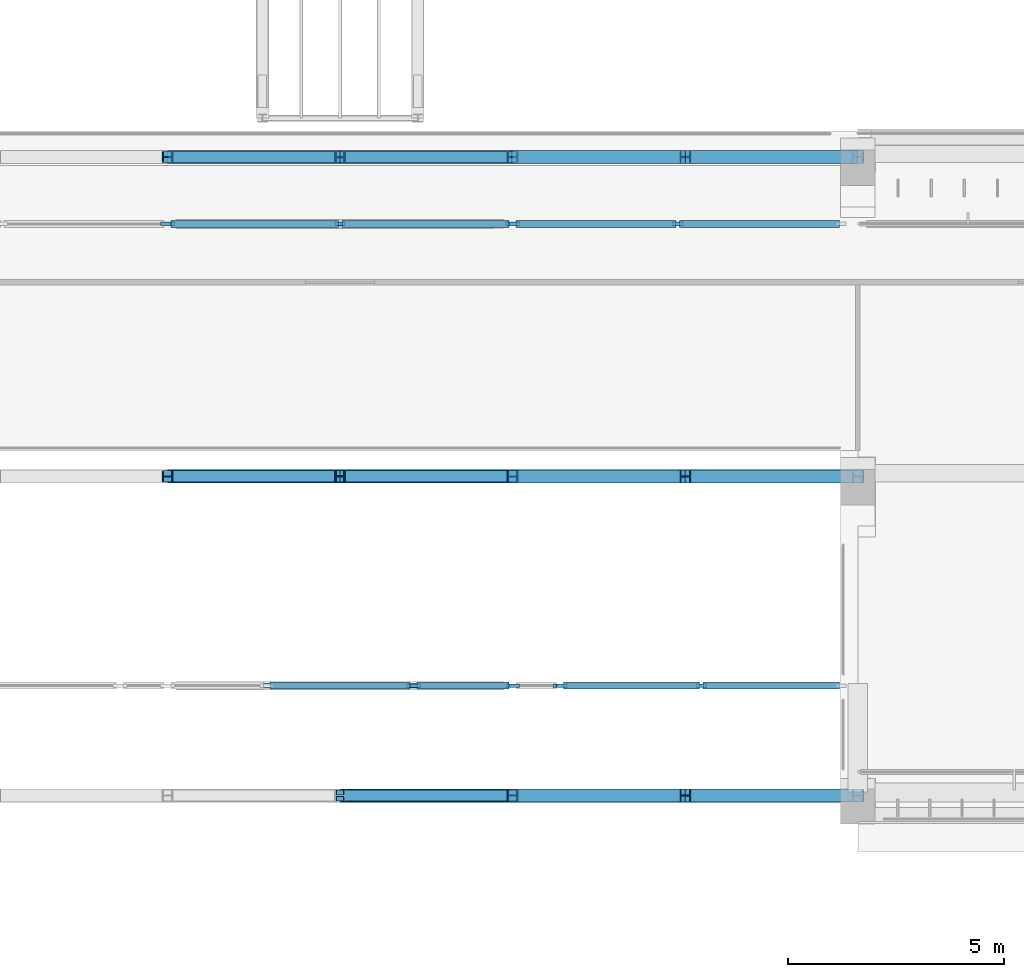
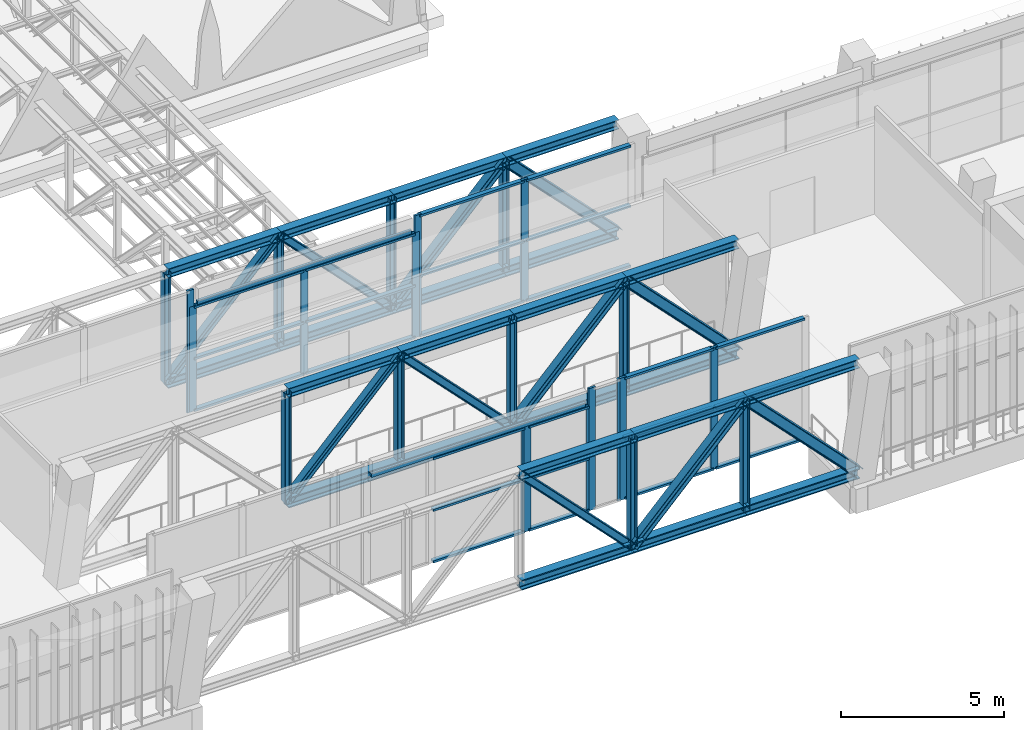
# One storey, part 37 of 141: 80 members, 2 beams, 7 elements without a shape of their own.
"""IFC4 building model written with IfcOpenShell, lengths in metres."""

from ifc_helpers import new_model, si_unit, direction, frame, origin, origin_2d, place, context, subcontext, project, spatial, rectangle, hollow_rectangle, i_section, extrude, material, material_profile, profile_set, type_object, element, aggregate, save


model = new_model("IFC4")

# Units and contexts
model_context = context("Model", 3, precision=1e-05, world=origin(), true_north=direction((0.0, 1.0)))
body_context = subcontext(model_context, "Body", "Model", "MODEL_VIEW")
ifc_project = project(units=[si_unit("LENGTHUNIT", "METRE"), si_unit("AREAUNIT", "SQUARE_METRE"), si_unit("VOLUMEUNIT", "CUBIC_METRE"), si_unit("PLANEANGLEUNIT", "RADIAN"), si_unit("MASSUNIT", "GRAM", prefix="KILO")], contexts=[model_context])

# Site, building, storey
site_placement = place(None, origin())
site = spatial("IfcSite", under=ifc_project, at=site_placement, CompositionType="ELEMENT")
building_placement = place(site_placement, origin())
building = spatial("IfcBuilding", under=site, at=building_placement, Name="Lantern Court Media Centre", CompositionType="ELEMENT")
storey_placement = place(building_placement, frame((0.0, 0.0, 9.60009765625)))
storey = spatial("IfcBuildingStorey", under=building, at=storey_placement, Name="L02", CompositionType="ELEMENT", Elevation=9.60009765625)

# Curtain wall, members
ifc_material_1 = material(Name="Curtain wall bay 4000")
curtain_wall_type = type_object("IfcCurtainWallType", Name="Curtain wall bay 4000", PredefinedType="NOTDEFINED", material=ifc_material_1)
curtain_wall_1_placement = place(storey_placement, origin())
curtain_wall_1 = element("IfcCurtainWall", 1, at=curtain_wall_1_placement, inside=storey, type_object=curtain_wall_type, Name="Curtain wall S outer L02", PredefinedType="NOTDEFINED")
ifc_material_2 = material(Name="Anodised aluminium", Category="aluminium")
ifc_material_profile_1 = material_profile(ifc_material_2, rectangle(XDim=0.080078125, YDim=0.239990234375, at=origin_2d()), Name="AL 80x240")
ifc_profile_set_1 = profile_set([ifc_material_profile_1], Name="Anodised aluminium")
member_type_1 = type_object("IfcMemberType", Name="Curtain wall mullion 80x240", PredefinedType="MULLION", material=ifc_profile_set_1)
member_1_placement = place(storey_placement, frame((57.139892578125, 49.14990234375, 0.0), z_axis=(0.0, 0.0, 1.0), x_axis=(0.0, 1.0, 0.0)))
member_1 = element("IfcMember", 2, at=member_1_placement, type_object=member_type_1, Name="CW3 mullion 1", PredefinedType="MULLION", context=body_context, shape_type="SweptSolid", body=[
    extrude(rectangle(XDim=0.080078125, YDim=0.239990234375, at=origin_2d()), origin(), (0.0, 0.0, 1.0), 4.579833984375),
])
member_2_placement = place(storey_placement, frame((60.375, 49.14990234375, 0.0), z_axis=(0.0, 0.0, 1.0), x_axis=(0.0, 1.0, 0.0)))
member_2 = element("IfcMember", 3, at=member_2_placement, type_object=member_type_1, Name="CW3 mullion 2", PredefinedType="MULLION", context=body_context, shape_type="SweptSolid", body=[
    extrude(rectangle(XDim=0.080078125, YDim=0.239990234375, at=origin_2d()), origin(), (0.0, 0.0, 1.0), 4.579833984375),
])

# Curtain wall, member
curtain_wall_2_placement = place(storey_placement, origin())
curtain_wall_2 = element("IfcCurtainWall", 4, at=curtain_wall_2_placement, inside=storey, type_object=curtain_wall_type, Name="Curtain wall S outer L02", PredefinedType="NOTDEFINED")
member_3_placement = place(storey_placement, frame((53.659912109375, 49.14990234375, 0.0), z_axis=(0.0, 0.0, 1.0), x_axis=(0.0, 1.0, 0.0)))
member_3 = element("IfcMember", 5, at=member_3_placement, type_object=member_type_1, Name="CW3 mullion 2", PredefinedType="MULLION", context=body_context, shape_type="SweptSolid", body=[
    extrude(rectangle(XDim=0.080078125, YDim=0.239990234375, at=origin_2d()), origin(), (0.0, 0.0, 1.0), 3.949951171875),
])

# Curtain wall, members
curtain_wall_3_placement = place(storey_placement, origin())
curtain_wall_3 = element("IfcCurtainWall", 6, at=curtain_wall_3_placement, inside=storey, type_object=curtain_wall_type, Name="Curtain wall S outer L02", PredefinedType="NOTDEFINED")
member_4_placement = place(storey_placement, frame((53.739990234375, 49.14990234375, 0.0), z_axis=(0.0, 0.0, 1.0), x_axis=(0.0, 1.0, 0.0)))
member_4 = element("IfcMember", 7, at=member_4_placement, type_object=member_type_1, Name="CW3 mullion 1", PredefinedType="MULLION", context=body_context, shape_type="SweptSolid", body=[
    extrude(rectangle(XDim=0.080078125, YDim=0.239990234375, at=origin_2d()), origin(), (0.0, 0.0, 1.0), 3.949951171875),
])
member_5_placement = place(storey_placement, frame((55.9599609375, 49.14990234375, 0.0), z_axis=(0.0, 0.0, 1.0), x_axis=(0.0, 1.0, 0.0)))
member_5 = element("IfcMember", 8, at=member_5_placement, type_object=member_type_1, Name="CW3 mullion 2", PredefinedType="MULLION", context=body_context, shape_type="SweptSolid", body=[
    extrude(rectangle(XDim=0.080078125, YDim=0.239990234375, at=origin_2d()), origin(), (0.0, 0.0, 1.0), 3.949951171875),
])

curtain_wall_4_placement = place(storey_placement, origin())
curtain_wall_4 = element("IfcCurtainWall", 9, at=curtain_wall_4_placement, inside=storey, type_object=curtain_wall_type, Name="Curtain wall S outer L02", PredefinedType="NOTDEFINED")
member_6_placement = place(storey_placement, frame((56.0400390625, 49.14990234375, 0.0), z_axis=(0.0, 0.0, 1.0), x_axis=(0.0, 1.0, 0.0)))
member_6 = element("IfcMember", 10, at=member_6_placement, type_object=member_type_1, Name="CW3 mullion 1", PredefinedType="MULLION", context=body_context, shape_type="SweptSolid", body=[
    extrude(rectangle(XDim=0.080078125, YDim=0.239990234375, at=origin_2d()), origin(), (0.0, 0.0, 1.0), 4.579833984375),
])
member_7_placement = place(storey_placement, frame((57.06005859375, 49.14990234375, 0.0), z_axis=(0.0, 0.0, 1.0), x_axis=(0.0, 1.0, 0.0)))
member_7 = element("IfcMember", 11, at=member_7_placement, type_object=member_type_1, Name="CW3 mullion 2", PredefinedType="MULLION", context=body_context, shape_type="SweptSolid", body=[
    extrude(rectangle(XDim=0.080078125, YDim=0.239990234375, at=origin_2d()), origin(), (0.0, 0.0, 1.0), 4.579833984375),
])
aggregate(curtain_wall_4, [member_6, member_7])

# Curtain wall, member
curtain_wall_5_placement = place(storey_placement, origin())
curtain_wall_5 = element("IfcCurtainWall", 12, at=curtain_wall_5_placement, inside=storey, type_object=curtain_wall_type, Name="Curtain wall S inner L02", PredefinedType="NOTDEFINED")
member_8_placement = place(storey_placement, frame((47.9599609375, 59.85009765625, 0.0), z_axis=(0.0, 0.0, 1.0), x_axis=(0.0, 1.0, 0.0)))
member_8 = element("IfcMember", 13, at=member_8_placement, type_object=member_type_1, Name="CW3 mullion 3", PredefinedType="MULLION", context=body_context, shape_type="SweptSolid", body=[
    extrude(rectangle(XDim=0.080078125, YDim=0.239990234375, at=origin_2d()), origin(), (0.0, 0.0, 1.0), 4.579833984375),
])
aggregate(curtain_wall_5, [member_8])

# Curtain wall, members
curtain_wall_6_placement = place(storey_placement, origin())
curtain_wall_6 = element("IfcCurtainWall", 14, at=curtain_wall_6_placement, inside=storey, type_object=curtain_wall_type, Name="Curtain wall S inner L02", PredefinedType="NOTDEFINED")
member_9_placement = place(storey_placement, frame((48.0400390625, 59.85009765625, 0.0), z_axis=(0.0, 0.0, 1.0), x_axis=(0.0, 1.0, 0.0)))
member_9 = element("IfcMember", 15, at=member_9_placement, type_object=member_type_1, Name="CW3 mullion 1", PredefinedType="MULLION", context=body_context, shape_type="SweptSolid", body=[
    extrude(rectangle(XDim=0.080078125, YDim=0.239990234375, at=origin_2d()), origin(), (0.0, 0.0, 1.0), 3.949951171875),
])
member_10_placement = place(storey_placement, frame((52.0, 59.85009765625, 0.0), z_axis=(0.0, 0.0, 1.0), x_axis=(0.0, 1.0, 0.0)))
member_10 = element("IfcMember", 16, at=member_10_placement, type_object=member_type_1, Name="CW3 mullion 2", PredefinedType="MULLION", context=body_context, shape_type="SweptSolid", body=[
    extrude(rectangle(XDim=0.080078125, YDim=0.239990234375, at=origin_2d()), origin(), (0.0, 0.0, 1.0), 3.949951171875),
])
member_11_placement = place(storey_placement, frame((55.9599609375, 59.85009765625, 0.0), z_axis=(0.0, 0.0, 1.0), x_axis=(0.0, 1.0, 0.0)))
member_11 = element("IfcMember", 17, at=member_11_placement, type_object=member_type_1, Name="CW3 mullion 3", PredefinedType="MULLION", context=body_context, shape_type="SweptSolid", body=[
    extrude(rectangle(XDim=0.080078125, YDim=0.239990234375, at=origin_2d()), origin(), (0.0, 0.0, 1.0), 3.949951171875),
])

curtain_wall_7_placement = place(storey_placement, origin())
curtain_wall_7 = element("IfcCurtainWall", 18, at=curtain_wall_7_placement, inside=storey, type_object=curtain_wall_type, Name="Curtain wall S inner L02", PredefinedType="NOTDEFINED")
member_12_placement = place(storey_placement, frame((56.0400390625, 59.85009765625, 0.0), z_axis=(0.0, 0.0, 1.0), x_axis=(0.0, 1.0, 0.0)))
member_12 = element("IfcMember", 19, at=member_12_placement, type_object=member_type_1, Name="CW3 mullion 1", PredefinedType="MULLION", context=body_context, shape_type="SweptSolid", body=[
    extrude(rectangle(XDim=0.080078125, YDim=0.239990234375, at=origin_2d()), origin(), (0.0, 0.0, 1.0), 4.579833984375),
])
member_13_placement = place(storey_placement, frame((59.824951171875, 59.85009765625, 0.0), z_axis=(0.0, 0.0, 1.0), x_axis=(0.0, 1.0, 0.0)))
member_13 = element("IfcMember", 20, at=member_13_placement, type_object=member_type_1, Name="CW3 mullion 2", PredefinedType="MULLION", context=body_context, shape_type="SweptSolid", body=[
    extrude(rectangle(XDim=0.080078125, YDim=0.239990234375, at=origin_2d()), origin(), (0.0, 0.0, 1.0), 4.579833984375),
])

# Member
ifc_material_profile_2 = material_profile(ifc_material_2, rectangle(XDim=0.159912109375, YDim=0.080078125, at=origin_2d()), Name="AL 80x160")
ifc_profile_set_2 = profile_set([ifc_material_profile_2], Name="Anodised aluminium")
member_type_2 = type_object("IfcMemberType", Name="Curtain wall transom 160x80", PredefinedType="USERDEFINED", material=ifc_profile_set_2)
member_14_placement = place(storey_placement, frame((57.179931640625, 49.14990234375, 0.039794921875), z_axis=(1.0, 0.0, 0.0), x_axis=(0.0, 1.0, 0.0)))
member_14 = element("IfcMember", 21, at=member_14_placement, type_object=member_type_2, Name="CW3 transom 1.1", ObjectType="TRANSOM", PredefinedType="USERDEFINED", context=body_context, shape_type="SweptSolid", body=[
    extrude(rectangle(XDim=0.159912109375, YDim=0.080078125, at=origin_2d()), origin(), (0.0, 0.0, 1.0), 3.155029296875),
])

member_15_placement = place(storey_placement, frame((57.179931640625, 49.14990234375, 2.289794921875), z_axis=(1.0, 0.0, 0.0), x_axis=(0.0, 1.0, 0.0)))
member_15 = element("IfcMember", 22, at=member_15_placement, type_object=member_type_2, Name="CW3 transom 1.2", ObjectType="TRANSOM", PredefinedType="USERDEFINED", context=body_context, shape_type="SweptSolid", body=[
    extrude(rectangle(XDim=0.159912109375, YDim=0.080078125, at=origin_2d()), origin(), (0.0, 0.0, 1.0), 3.155029296875),
])

member_16_placement = place(storey_placement, frame((57.179931640625, 49.14990234375, 4.539794921875), z_axis=(1.0, 0.0, 0.0), x_axis=(0.0, 1.0, 0.0)))
member_16 = element("IfcMember", 23, at=member_16_placement, type_object=member_type_2, Name="CW3 transom 1.3", ObjectType="TRANSOM", PredefinedType="USERDEFINED", context=body_context, shape_type="SweptSolid", body=[
    extrude(rectangle(XDim=0.159912109375, YDim=0.080078125, at=origin_2d()), origin(), (0.0, 0.0, 1.0), 3.155029296875),
])

member_17_placement = place(storey_placement, frame((60.4150390625, 49.14990234375, 0.039794921875), z_axis=(1.0, 0.0, 0.0), x_axis=(0.0, 1.0, 0.0)))
member_17 = element("IfcMember", 24, at=member_17_placement, type_object=member_type_2, Name="CW3 transom 2.1", ObjectType="TRANSOM", PredefinedType="USERDEFINED", context=body_context, shape_type="SweptSolid", body=[
    extrude(rectangle(XDim=0.159912109375, YDim=0.080078125, at=origin_2d()), origin(), (0.0, 0.0, 1.0), 3.155029296875),
])

member_18_placement = place(storey_placement, frame((60.4150390625, 49.14990234375, 2.289794921875), z_axis=(1.0, 0.0, 0.0), x_axis=(0.0, 1.0, 0.0)))
member_18 = element("IfcMember", 25, at=member_18_placement, type_object=member_type_2, Name="CW3 transom 2.2", ObjectType="TRANSOM", PredefinedType="USERDEFINED", context=body_context, shape_type="SweptSolid", body=[
    extrude(rectangle(XDim=0.159912109375, YDim=0.080078125, at=origin_2d()), origin(), (0.0, 0.0, 1.0), 3.155029296875),
])

member_19_placement = place(storey_placement, frame((60.4150390625, 49.14990234375, 4.539794921875), z_axis=(1.0, 0.0, 0.0), x_axis=(0.0, 1.0, 0.0)))
member_19 = element("IfcMember", 26, at=member_19_placement, type_object=member_type_2, Name="CW3 transom 2.3", ObjectType="TRANSOM", PredefinedType="USERDEFINED", context=body_context, shape_type="SweptSolid", body=[
    extrude(rectangle(XDim=0.159912109375, YDim=0.080078125, at=origin_2d()), origin(), (0.0, 0.0, 1.0), 3.155029296875),
])

aggregate(curtain_wall_1, [member_1, member_2, member_14, member_15, member_16, member_17, member_18, member_19])

member_20_placement = place(storey_placement, frame((50.3798828125, 49.14990234375, 0.039794921875), z_axis=(1.0, 0.0, 0.0), x_axis=(0.0, 1.0, 0.0)))
member_20 = element("IfcMember", 27, at=member_20_placement, type_object=member_type_2, Name="CW3 transom 1.1", ObjectType="TRANSOM", PredefinedType="USERDEFINED", context=body_context, shape_type="SweptSolid", body=[
    extrude(rectangle(XDim=0.159912109375, YDim=0.080078125, at=origin_2d()), origin(), (0.0, 0.0, 1.0), 3.240234375),
])

member_21_placement = place(storey_placement, frame((50.3798828125, 49.14990234375, 1.974853515625), z_axis=(1.0, 0.0, 0.0), x_axis=(0.0, 1.0, 0.0)))
member_21 = element("IfcMember", 28, at=member_21_placement, type_object=member_type_2, Name="CW3 transom 1.2", ObjectType="TRANSOM", PredefinedType="USERDEFINED", context=body_context, shape_type="SweptSolid", body=[
    extrude(rectangle(XDim=0.159912109375, YDim=0.080078125, at=origin_2d()), origin(), (0.0, 0.0, 1.0), 3.240234375),
])

member_22_placement = place(storey_placement, frame((50.3798828125, 49.14990234375, 3.909912109375), z_axis=(1.0, 0.0, 0.0), x_axis=(0.0, 1.0, 0.0)))
member_22 = element("IfcMember", 29, at=member_22_placement, type_object=member_type_2, Name="CW3 transom 1.3", ObjectType="TRANSOM", PredefinedType="USERDEFINED", context=body_context, shape_type="SweptSolid", body=[
    extrude(rectangle(XDim=0.159912109375, YDim=0.080078125, at=origin_2d()), origin(), (0.0, 0.0, 1.0), 3.240234375),
])

aggregate(curtain_wall_2, [member_3, member_20, member_21, member_22])

member_23_placement = place(storey_placement, frame((53.780029296875, 49.14990234375, 0.039794921875), z_axis=(1.0, 0.0, 0.0), x_axis=(0.0, 1.0, 0.0)))
member_23 = element("IfcMember", 30, at=member_23_placement, type_object=member_type_2, Name="CW3 transom 1.1", ObjectType="TRANSOM", PredefinedType="USERDEFINED", context=body_context, shape_type="SweptSolid", body=[
    extrude(rectangle(XDim=0.159912109375, YDim=0.080078125, at=origin_2d()), origin(), (0.0, 0.0, 1.0), 2.139892578125),
])

member_24_placement = place(storey_placement, frame((53.780029296875, 49.14990234375, 1.974853515625), z_axis=(1.0, 0.0, 0.0), x_axis=(0.0, 1.0, 0.0)))
member_24 = element("IfcMember", 31, at=member_24_placement, type_object=member_type_2, Name="CW3 transom 1.2", ObjectType="TRANSOM", PredefinedType="USERDEFINED", context=body_context, shape_type="SweptSolid", body=[
    extrude(rectangle(XDim=0.159912109375, YDim=0.080078125, at=origin_2d()), origin(), (0.0, 0.0, 1.0), 2.139892578125),
])

member_25_placement = place(storey_placement, frame((53.780029296875, 49.14990234375, 3.909912109375), z_axis=(1.0, 0.0, 0.0), x_axis=(0.0, 1.0, 0.0)))
member_25 = element("IfcMember", 32, at=member_25_placement, type_object=member_type_2, Name="CW3 transom 1.3", ObjectType="TRANSOM", PredefinedType="USERDEFINED", context=body_context, shape_type="SweptSolid", body=[
    extrude(rectangle(XDim=0.159912109375, YDim=0.080078125, at=origin_2d()), origin(), (0.0, 0.0, 1.0), 2.139892578125),
])

aggregate(curtain_wall_3, [member_4, member_5, member_23, member_24, member_25])

member_26_placement = place(storey_placement, frame((48.080078125, 59.85009765625, 0.039794921875), z_axis=(1.0, 0.0, 0.0), x_axis=(0.0, 1.0, 0.0)))
member_26 = element("IfcMember", 33, at=member_26_placement, type_object=member_type_2, Name="CW3 transom 1.1", ObjectType="TRANSOM", PredefinedType="USERDEFINED", context=body_context, shape_type="SweptSolid", body=[
    extrude(rectangle(XDim=0.159912109375, YDim=0.080078125, at=origin_2d()), origin(), (0.0, 0.0, 1.0), 3.8798828125),
])

member_27_placement = place(storey_placement, frame((48.080078125, 59.85009765625, 1.974853515625), z_axis=(1.0, 0.0, 0.0), x_axis=(0.0, 1.0, 0.0)))
member_27 = element("IfcMember", 34, at=member_27_placement, type_object=member_type_2, Name="CW3 transom 1.2", ObjectType="TRANSOM", PredefinedType="USERDEFINED", context=body_context, shape_type="SweptSolid", body=[
    extrude(rectangle(XDim=0.159912109375, YDim=0.080078125, at=origin_2d()), origin(), (0.0, 0.0, 1.0), 3.8798828125),
])

member_28_placement = place(storey_placement, frame((48.080078125, 59.85009765625, 3.909912109375), z_axis=(1.0, 0.0, 0.0), x_axis=(0.0, 1.0, 0.0)))
member_28 = element("IfcMember", 35, at=member_28_placement, type_object=member_type_2, Name="CW3 transom 1.3", ObjectType="TRANSOM", PredefinedType="USERDEFINED", context=body_context, shape_type="SweptSolid", body=[
    extrude(rectangle(XDim=0.159912109375, YDim=0.080078125, at=origin_2d()), origin(), (0.0, 0.0, 1.0), 3.8798828125),
])

member_29_placement = place(storey_placement, frame((52.0400390625, 59.85009765625, 0.039794921875), z_axis=(1.0, 0.0, 0.0), x_axis=(0.0, 1.0, 0.0)))
member_29 = element("IfcMember", 36, at=member_29_placement, type_object=member_type_2, Name="CW3 transom 2.1", ObjectType="TRANSOM", PredefinedType="USERDEFINED", context=body_context, shape_type="SweptSolid", body=[
    extrude(rectangle(XDim=0.159912109375, YDim=0.080078125, at=origin_2d()), origin(), (0.0, 0.0, 1.0), 3.8798828125),
])

member_30_placement = place(storey_placement, frame((52.0400390625, 59.85009765625, 1.974853515625), z_axis=(1.0, 0.0, 0.0), x_axis=(0.0, 1.0, 0.0)))
member_30 = element("IfcMember", 37, at=member_30_placement, type_object=member_type_2, Name="CW3 transom 2.2", ObjectType="TRANSOM", PredefinedType="USERDEFINED", context=body_context, shape_type="SweptSolid", body=[
    extrude(rectangle(XDim=0.159912109375, YDim=0.080078125, at=origin_2d()), origin(), (0.0, 0.0, 1.0), 3.8798828125),
])

member_31_placement = place(storey_placement, frame((52.0400390625, 59.85009765625, 3.909912109375), z_axis=(1.0, 0.0, 0.0), x_axis=(0.0, 1.0, 0.0)))
member_31 = element("IfcMember", 38, at=member_31_placement, type_object=member_type_2, Name="CW3 transom 2.3", ObjectType="TRANSOM", PredefinedType="USERDEFINED", context=body_context, shape_type="SweptSolid", body=[
    extrude(rectangle(XDim=0.159912109375, YDim=0.080078125, at=origin_2d()), origin(), (0.0, 0.0, 1.0), 3.8798828125),
])

aggregate(curtain_wall_6, [member_9, member_10, member_11, member_26, member_27, member_28, member_29, member_30, member_31])

member_32_placement = place(storey_placement, frame((56.080078125, 59.85009765625, 0.039794921875), z_axis=(1.0, 0.0, 0.0), x_axis=(0.0, 1.0, 0.0)))
member_32 = element("IfcMember", 39, at=member_32_placement, type_object=member_type_2, Name="CW3 transom 1.1", ObjectType="TRANSOM", PredefinedType="USERDEFINED", context=body_context, shape_type="SweptSolid", body=[
    extrude(rectangle(XDim=0.159912109375, YDim=0.080078125, at=origin_2d()), origin(), (0.0, 0.0, 1.0), 3.704833984375),
])

member_33_placement = place(storey_placement, frame((56.080078125, 59.85009765625, 2.289794921875), z_axis=(1.0, 0.0, 0.0), x_axis=(0.0, 1.0, 0.0)))
member_33 = element("IfcMember", 40, at=member_33_placement, type_object=member_type_2, Name="CW3 transom 1.2", ObjectType="TRANSOM", PredefinedType="USERDEFINED", context=body_context, shape_type="SweptSolid", body=[
    extrude(rectangle(XDim=0.159912109375, YDim=0.080078125, at=origin_2d()), origin(), (0.0, 0.0, 1.0), 3.704833984375),
])

member_34_placement = place(storey_placement, frame((56.080078125, 59.85009765625, 4.539794921875), z_axis=(1.0, 0.0, 0.0), x_axis=(0.0, 1.0, 0.0)))
member_34 = element("IfcMember", 41, at=member_34_placement, type_object=member_type_2, Name="CW3 transom 1.3", ObjectType="TRANSOM", PredefinedType="USERDEFINED", context=body_context, shape_type="SweptSolid", body=[
    extrude(rectangle(XDim=0.159912109375, YDim=0.080078125, at=origin_2d()), origin(), (0.0, 0.0, 1.0), 3.704833984375),
])

member_35_placement = place(storey_placement, frame((59.864990234375, 59.85009765625, 0.039794921875), z_axis=(1.0, 0.0, 0.0), x_axis=(0.0, 1.0, 0.0)))
member_35 = element("IfcMember", 42, at=member_35_placement, type_object=member_type_2, Name="CW3 transom 2.1", ObjectType="TRANSOM", PredefinedType="USERDEFINED", context=body_context, shape_type="SweptSolid", body=[
    extrude(rectangle(XDim=0.159912109375, YDim=0.080078125, at=origin_2d()), origin(), (0.0, 0.0, 1.0), 3.705078125),
])

member_36_placement = place(storey_placement, frame((59.864990234375, 59.85009765625, 2.289794921875), z_axis=(1.0, 0.0, 0.0), x_axis=(0.0, 1.0, 0.0)))
member_36 = element("IfcMember", 43, at=member_36_placement, type_object=member_type_2, Name="CW3 transom 2.2", ObjectType="TRANSOM", PredefinedType="USERDEFINED", context=body_context, shape_type="SweptSolid", body=[
    extrude(rectangle(XDim=0.159912109375, YDim=0.080078125, at=origin_2d()), origin(), (0.0, 0.0, 1.0), 3.705078125),
])

member_37_placement = place(storey_placement, frame((59.864990234375, 59.85009765625, 4.539794921875), z_axis=(1.0, 0.0, 0.0), x_axis=(0.0, 1.0, 0.0)))
member_37 = element("IfcMember", 44, at=member_37_placement, type_object=member_type_2, Name="CW3 transom 2.3", ObjectType="TRANSOM", PredefinedType="USERDEFINED", context=body_context, shape_type="SweptSolid", body=[
    extrude(rectangle(XDim=0.159912109375, YDim=0.080078125, at=origin_2d()), origin(), (0.0, 0.0, 1.0), 3.705078125),
])

aggregate(curtain_wall_7, [member_12, member_13, member_32, member_33, member_34, member_35, member_36, member_37])

# Members
ifc_material_3 = material(Name="Steel S355J2 (EN 10025-2)", Category="steel")
ifc_material_profile_3 = material_profile(ifc_material_3, i_section(OverallWidth=0.30908203125, OverallDepth=0.376953125, WebThickness=0.02099609375, FlangeThickness=0.0400390625, FilletRadius=0.027099609375, at=origin_2d()), Name="HEM 340")
ifc_profile_set_3 = profile_set([ifc_material_profile_3], Name="Steel S355J2 (EN 10025-2)")
member_type_3 = type_object("IfcMemberType", Name="Entrance transfer truss chord HEM 340", PredefinedType="CHORD", material=ifc_profile_set_3)
for number, where, z_axis, x_axis, name in (
    (45, (52.0, 46.60009765625, 0.1884765625), (1.0, 0.0, 0.0), (0.0, 1.0, 0.0), "Transfer truss 1 bottom chord 4"),
    (46, (56.0, 46.60009765625, 0.1884765625), (1.0, 0.0, 0.0), (0.0, 1.0, 0.0), "Transfer truss 1 bottom chord 5"),
    (47, (60.0, 46.60009765625, 0.1884765625), (1.0, 0.0, 0.0), (0.0, 1.0, 0.0), "Transfer truss 1 bottom chord 6"),
    (48, (48.0, 54.0, 0.1884765625), (1.0, 0.0, 0.0), (0.0, 1.0, 0.0), "Transfer truss 2 bottom chord 3"),
    (49, (52.0, 54.0, 0.1884765625), (1.0, 0.0, 0.0), (0.0, 1.0, 0.0), "Transfer truss 2 bottom chord 4"),
    (50, (56.0, 54.0, 0.1884765625), (1.0, 0.0, 0.0), (0.0, 1.0, 0.0), "Transfer truss 2 bottom chord 5"),
    (51, (60.0, 54.0, 0.1884765625), (1.0, 0.0, 0.0), (0.0, 1.0, 0.0), "Transfer truss 2 bottom chord 6"),
    (52, (48.0, 61.39990234375, 0.1884765625), (1.0, 0.0, 0.0), (0.0, 1.0, 0.0), "Transfer truss 3 bottom chord 3"),
    (53, (52.0, 61.39990234375, 0.1884765625), (1.0, 0.0, 0.0), (0.0, 1.0, 0.0), "Transfer truss 3 bottom chord 4"),
    (54, (56.0, 61.39990234375, 0.1884765625), (1.0, 0.0, 0.0), (0.0, 1.0, 0.0), "Transfer truss 3 bottom chord 5"),
    (55, (60.0, 61.39990234375, 0.1884765625), (1.0, 0.0, 0.0), (0.0, 1.0, 0.0), "Transfer truss 3 bottom chord 6"),
):
    element("IfcMember", number, at=place(storey_placement, frame(where, z_axis=z_axis, x_axis=x_axis)), inside=storey, type_object=member_type_3, Name=name, PredefinedType="CHORD", context=body_context, shape_type="SweptSolid", body=[
        extrude(i_section(OverallWidth=0.30908203125, OverallDepth=0.376953125, WebThickness=0.02099609375, FlangeThickness=0.0400390625, FilletRadius=0.027099609375, at=origin_2d()), origin(), (0.0, 0.0, 1.0), 4.0),
    ])
ifc_material_profile_4 = material_profile(ifc_material_3, i_section(OverallWidth=0.260009765625, OverallDepth=0.260009765625, WebThickness=0.010009765625, FlangeThickness=0.017578125, FilletRadius=0.02392578125, at=origin_2d()), Name="HEB 260")
ifc_profile_set_4 = profile_set([ifc_material_profile_4], Name="Steel S355J2 (EN 10025-2)")
member_type_4 = type_object("IfcMemberType", Name="Entrance transfer truss diagonal HEB 260", PredefinedType="BRACE", material=ifc_profile_set_4)
for number, where, z_axis, x_axis, name in (
    (56, (52.0, 46.60009765625, 4.3115234375), (0.696315735079, 0.0, -0.717735603883), (0.0, 1.0, 0.0), "Transfer truss 1 diagonal 4"),
    (57, (48.0, 54.0, 0.1884765625), (0.696315735079, 0.0, 0.717735603883), (0.0, 1.0, 0.0), "Transfer truss 2 diagonal 3"),
    (58, (52.0, 54.0, 4.3115234375), (0.696315735079, 0.0, -0.717735603883), (0.0, 1.0, 0.0), "Transfer truss 2 diagonal 4"),
    (59, (48.0, 61.39990234375, 0.1884765625), (0.696315735079, 0.0, 0.717735603883), (0.0, 1.0, 0.0), "Transfer truss 3 diagonal 3"),
    (60, (52.0, 61.39990234375, 4.3115234375), (0.696315735079, 0.0, -0.717735603883), (0.0, 1.0, 0.0), "Transfer truss 3 diagonal 4"),
):
    element("IfcMember", number, at=place(storey_placement, frame(where, z_axis=z_axis, x_axis=x_axis)), inside=storey, type_object=member_type_4, Name=name, PredefinedType="BRACE", context=body_context, shape_type="SweptSolid", body=[
        extrude(i_section(OverallWidth=0.260009765625, OverallDepth=0.260009765625, WebThickness=0.010009765625, FlangeThickness=0.017578125, FilletRadius=0.02392578125, at=origin_2d()), origin(), (0.0, 0.0, 1.0), 5.74462890625),
    ])
ifc_material_profile_5 = material_profile(ifc_material_3, i_section(OverallWidth=0.300048828125, OverallDepth=0.300048828125, WebThickness=0.010986328125, FlangeThickness=0.01904296875, FilletRadius=0.027099609375, at=origin_2d()), Name="HEB 300")
ifc_profile_set_5 = profile_set([ifc_material_profile_5], Name="Steel S355J2 (EN 10025-2)")
member_type_5 = type_object("IfcMemberType", Name="Entrance transfer truss diagonal HEB 300", PredefinedType="BRACE", material=ifc_profile_set_5)
for number, where, z_axis, x_axis, name in (
    (61, (56.0, 46.60009765625, 0.1884765625), (0.696315735079, 0.0, 0.717735603883), (0.0, 1.0, 0.0), "Transfer truss 1 diagonal 5"),
    (62, (56.0, 54.0, 0.1884765625), (0.696315735079, 0.0, 0.717735603883), (0.0, 1.0, 0.0), "Transfer truss 2 diagonal 5"),
    (63, (56.0, 61.39990234375, 0.1884765625), (0.696315735079, 0.0, 0.717735603883), (0.0, 1.0, 0.0), "Transfer truss 3 diagonal 5"),
):
    element("IfcMember", number, at=place(storey_placement, frame(where, z_axis=z_axis, x_axis=x_axis)), inside=storey, type_object=member_type_5, Name=name, PredefinedType="BRACE", context=body_context, shape_type="SweptSolid", body=[
        extrude(i_section(OverallWidth=0.300048828125, OverallDepth=0.300048828125, WebThickness=0.010986328125, FlangeThickness=0.01904296875, FilletRadius=0.027099609375, at=origin_2d()), origin(), (0.0, 0.0, 1.0), 5.74462890625),
    ])
ifc_material_profile_6 = material_profile(ifc_material_3, i_section(OverallWidth=0.300048828125, OverallDepth=0.360107421875, WebThickness=0.012451171875, FlangeThickness=0.0224609375, FilletRadius=0.027099609375, at=origin_2d()), Name="HEB 360")
ifc_profile_set_6 = profile_set([ifc_material_profile_6], Name="Steel S355J2 (EN 10025-2)")
member_type_6 = type_object("IfcMemberType", Name="Entrance transfer truss diagonal HEB 360", PredefinedType="BRACE", material=ifc_profile_set_6)
for number, where, z_axis, x_axis, name in (
    (64, (60.0, 46.60009765625, 4.3115234375), (0.696315735079, 0.0, -0.717735603883), (0.0, 1.0, 0.0), "Transfer truss 1 diagonal 6"),
    (65, (60.0, 54.0, 4.3115234375), (0.696315735079, 0.0, -0.717735603883), (0.0, 1.0, 0.0), "Transfer truss 2 diagonal 6"),
    (66, (60.0, 61.39990234375, 4.3115234375), (0.696315735079, 0.0, -0.717735603883), (0.0, 1.0, 0.0), "Transfer truss 3 diagonal 6"),
):
    element("IfcMember", number, at=place(storey_placement, frame(where, z_axis=z_axis, x_axis=x_axis)), inside=storey, type_object=member_type_6, Name=name, PredefinedType="BRACE", context=body_context, shape_type="SweptSolid", body=[
        extrude(i_section(OverallWidth=0.300048828125, OverallDepth=0.360107421875, WebThickness=0.012451171875, FlangeThickness=0.0224609375, FilletRadius=0.027099609375, at=origin_2d()), origin(), (0.0, 0.0, 1.0), 5.74462890625),
    ])
ifc_material_profile_7 = material_profile(ifc_material_3, i_section(OverallWidth=0.300048828125, OverallDepth=0.340087890625, WebThickness=0.011962890625, FlangeThickness=0.021484375, FilletRadius=0.027099609375, at=origin_2d()), Name="HEB 340")
ifc_profile_set_7 = profile_set([ifc_material_profile_7], Name="Steel S355J2 (EN 10025-2)")
member_type_7 = type_object("IfcMemberType", Name="Entrance transfer truss top chord HEB 340", PredefinedType="CHORD", material=ifc_profile_set_7)
for number, where, z_axis, x_axis, name in (
    (67, (52.0, 46.60009765625, 4.3115234375), (1.0, 0.0, 0.0), (0.0, 1.0, 0.0), "Transfer truss 1 top chord 4"),
    (68, (56.0, 46.60009765625, 4.3115234375), (1.0, 0.0, 0.0), (0.0, 1.0, 0.0), "Transfer truss 1 top chord 5"),
    (69, (60.0, 46.60009765625, 4.3115234375), (1.0, 0.0, 0.0), (0.0, 1.0, 0.0), "Transfer truss 1 top chord 6"),
    (70, (48.0, 54.0, 4.3115234375), (1.0, 0.0, 0.0), (0.0, 1.0, 0.0), "Transfer truss 2 top chord 3"),
    (71, (52.0, 54.0, 4.3115234375), (1.0, 0.0, 0.0), (0.0, 1.0, 0.0), "Transfer truss 2 top chord 4"),
    (72, (56.0, 54.0, 4.3115234375), (1.0, 0.0, 0.0), (0.0, 1.0, 0.0), "Transfer truss 2 top chord 5"),
    (73, (60.0, 54.0, 4.3115234375), (1.0, 0.0, 0.0), (0.0, 1.0, 0.0), "Transfer truss 2 top chord 6"),
    (74, (48.0, 61.39990234375, 4.3115234375), (1.0, 0.0, 0.0), (0.0, 1.0, 0.0), "Transfer truss 3 top chord 3"),
    (75, (52.0, 61.39990234375, 4.3115234375), (1.0, 0.0, 0.0), (0.0, 1.0, 0.0), "Transfer truss 3 top chord 4"),
    (76, (56.0, 61.39990234375, 4.3115234375), (1.0, 0.0, 0.0), (0.0, 1.0, 0.0), "Transfer truss 3 top chord 5"),
    (77, (60.0, 61.39990234375, 4.3115234375), (1.0, 0.0, 0.0), (0.0, 1.0, 0.0), "Transfer truss 3 top chord 6"),
):
    element("IfcMember", number, at=place(storey_placement, frame(where, z_axis=z_axis, x_axis=x_axis)), inside=storey, type_object=member_type_7, Name=name, PredefinedType="CHORD", context=body_context, shape_type="SweptSolid", body=[
        extrude(i_section(OverallWidth=0.300048828125, OverallDepth=0.340087890625, WebThickness=0.011962890625, FlangeThickness=0.021484375, FilletRadius=0.027099609375, at=origin_2d()), origin(), (0.0, 0.0, 1.0), 4.0),
    ])
ifc_material_profile_8 = material_profile(ifc_material_3, i_section(OverallWidth=0.239990234375, OverallDepth=0.239990234375, WebThickness=0.010009765625, FlangeThickness=0.01708984375, FilletRadius=0.02099609375, at=origin_2d()), Name="HEB 240")
ifc_profile_set_8 = profile_set([ifc_material_profile_8], Name="Steel S355J2 (EN 10025-2)")
member_type_8 = type_object("IfcMemberType", Name="Entrance transfer truss vertical HEB 240", PredefinedType="POST", material=ifc_profile_set_8)
for number, where, z_axis, x_axis, name in (
    (78, (56.0, 46.60009765625, 0.1884765625), (0.0, 0.0, 1.0), (0.0, 1.0, 0.0), "Transfer truss 1 vertical 5"),
    (79, (60.0, 46.60009765625, 0.1884765625), (0.0, 0.0, 1.0), (0.0, 1.0, 0.0), "Transfer truss 1 vertical 6"),
    (80, (48.0, 54.0, 0.1884765625), (0.0, 0.0, 1.0), (0.0, 1.0, 0.0), "Transfer truss 2 vertical 3"),
    (81, (52.0, 54.0, 0.1884765625), (0.0, 0.0, 1.0), (0.0, 1.0, 0.0), "Transfer truss 2 vertical 4"),
    (82, (56.0, 54.0, 0.1884765625), (0.0, 0.0, 1.0), (0.0, 1.0, 0.0), "Transfer truss 2 vertical 5"),
    (83, (60.0, 54.0, 0.1884765625), (0.0, 0.0, 1.0), (0.0, 1.0, 0.0), "Transfer truss 2 vertical 6"),
    (84, (48.0, 61.39990234375, 0.1884765625), (0.0, 0.0, 1.0), (0.0, 1.0, 0.0), "Transfer truss 3 vertical 3"),
    (85, (52.0, 61.39990234375, 0.1884765625), (0.0, 0.0, 1.0), (0.0, 1.0, 0.0), "Transfer truss 3 vertical 4"),
    (86, (56.0, 61.39990234375, 0.1884765625), (0.0, 0.0, 1.0), (0.0, 1.0, 0.0), "Transfer truss 3 vertical 5"),
    (87, (60.0, 61.39990234375, 0.1884765625), (0.0, 0.0, 1.0), (0.0, 1.0, 0.0), "Transfer truss 3 vertical 6"),
):
    element("IfcMember", number, at=place(storey_placement, frame(where, z_axis=z_axis, x_axis=x_axis)), inside=storey, type_object=member_type_8, Name=name, PredefinedType="POST", context=body_context, shape_type="SweptSolid", body=[
        extrude(i_section(OverallWidth=0.239990234375, OverallDepth=0.239990234375, WebThickness=0.010009765625, FlangeThickness=0.01708984375, FilletRadius=0.02099609375, at=origin_2d()), origin(), (0.0, 0.0, 1.0), 4.123046875),
    ])

# Beams
ifc_material_profile_9 = material_profile(ifc_material_3, hollow_rectangle(XDim=0.10009765625, YDim=0.14990234375, WallThickness=0.00634765625, InnerFilletRadius=0.00634765625, OuterFilletRadius=0.009521484375, at=origin_2d()), Name="Facade head lintel RHS 150x100x6.3")
ifc_profile_set_9 = profile_set([ifc_material_profile_9], Name="Steel S355J2 (EN 10025-2)")
beam_type = type_object("IfcBeamType", Name="Facade head lintel RHS 150x100x6.3", PredefinedType="BEAM", material=ifc_profile_set_9)
for number, where, z_axis, x_axis, name in (
    (88, (48.199951171875, 49.14990234375, 4.02490234375), (1.0, 0.0, 0.0), (0.0, 1.0, 0.0), "Facade head lintel S L02"),
    (89, (48.199951171875, 59.85009765625, 4.02490234375), (1.0, 0.0, 0.0), (0.0, 1.0, 0.0), "Facade head lintel S L02"),
):
    element("IfcBeam", number, at=place(storey_placement, frame(where, z_axis=z_axis, x_axis=x_axis)), inside=storey, type_object=beam_type, Name=name, PredefinedType="BEAM", context=body_context, shape_type="SweptSolid", body=[
        extrude(hollow_rectangle(XDim=0.10009765625, YDim=0.14990234375, WallThickness=0.00634765625, InnerFilletRadius=0.00634765625, OuterFilletRadius=0.009521484375, at=origin_2d()), origin(), (0.0, 0.0, 1.0), 7.60009765625),
    ])

save(model, "model.ifc")
